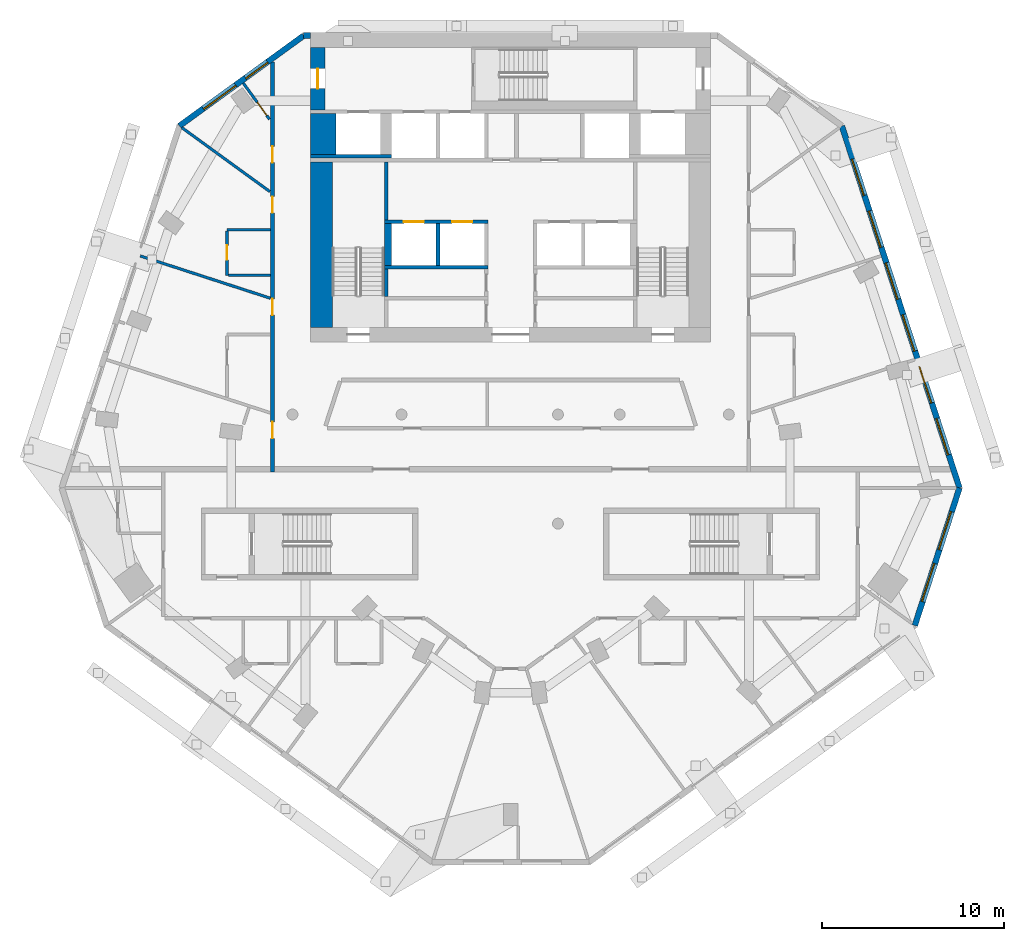
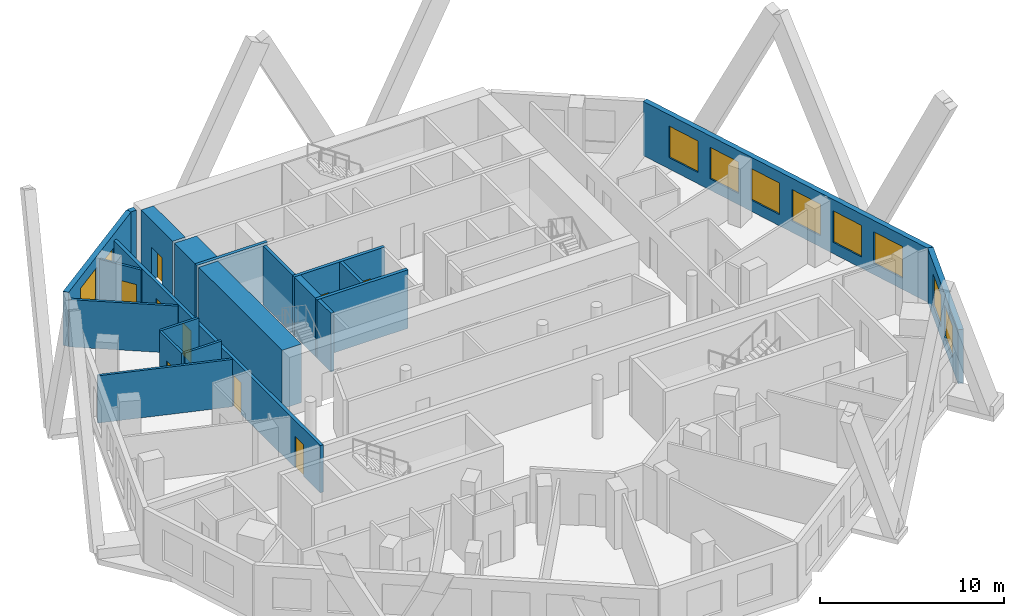
# One storey, part 6 of 10: 21 walls, 10 windows, 9 doors, 19 openings.
"""IFC4 building model written with IfcOpenShell, lengths in metres."""

from ifc_helpers import new_model, si_unit, direction, frame, frame_2d, origin, place, context, subcontext, project, spatial, rectangle, extrude, material, layer, layer_set, type_object, element, fill, save


model = new_model("IFC4")

# Units and contexts
model_context = context("Model", 3, precision=1e-05, world=origin(), true_north=direction((0.0, 1.0)))
body_context = subcontext(model_context, "Body", "Model", "MODEL_VIEW")
ifc_project = project(units=[si_unit("LENGTHUNIT", "METRE"), si_unit("AREAUNIT", "SQUARE_METRE"), si_unit("VOLUMEUNIT", "CUBIC_METRE"), si_unit("PLANEANGLEUNIT", "RADIAN"), si_unit("MASSUNIT", "GRAM", prefix="KILO")], contexts=[model_context])

# Site, building, storey
site_placement = place(None, origin())
site = spatial("IfcSite", under=ifc_project, at=site_placement, CompositionType="ELEMENT")
building_placement = place(site_placement, origin())
building = spatial("IfcBuilding", under=site, at=building_placement, Name="White Candle Pilgrim Tower", CompositionType="ELEMENT")
storey_placement = place(building_placement, frame((0.0, 0.0, 208.199951171875)))
storey = spatial("IfcBuildingStorey", under=building, at=storey_placement, Name="L48", CompositionType="ELEMENT", Elevation=208.199951171875)

# Walls
ifc_material_1 = material(Name="Concrete C50/60", Category="concrete")
ifc_layer_1 = layer(ifc_material_1, 1.39990234375)
ifc_layer_set_1 = layer_set([ifc_layer_1], Name="Core wall 1400 mm Concrete C50/60")
wall_type_1 = type_object("IfcWallType", Name="Core wall 1400 mm Concrete C50/60", PredefinedType="SHEAR", material=ifc_layer_set_1)
wall_1_placement = place(storey_placement, frame((59.699951171875, 81.300048828125, 0.0), z_axis=(0.0, 0.0, 1.0), x_axis=(0.0, 1.0, 0.0)))
element("IfcWall", 1, at=wall_1_placement, inside=storey, type_object=wall_type_1, Name="WL-L48-C43", PredefinedType="SHEAR", context=body_context, shape_type="SweptSolid", body=[
    extrude(rectangle(XDim=2.25, YDim=1.39990234375, at=frame_2d((1.125, 0.0))), origin(), (0.0, 0.0, 1.0), 3.900146484375),
])
ifc_layer_2 = layer(ifc_material_1, 0.199951171875)
ifc_layer_set_2 = layer_set([ifc_layer_2], Name="Core wall 200 mm Concrete C50/60")
wall_type_2 = type_object("IfcWallType", Name="Core wall 200 mm Concrete C50/60", PredefinedType="SHEAR", material=ifc_layer_set_2)
wall_2_placement = place(storey_placement, frame((59.0, 81.199951171875, 0.0), z_axis=(0.0, 0.0, 1.0), x_axis=(1.0, 0.0, 0.0)))
element("IfcWall", 2, at=wall_2_placement, inside=storey, type_object=wall_type_2, Name="WL-L48-C37", PredefinedType="SHEAR", context=body_context, shape_type="SweptSolid", body=[
    extrude(rectangle(XDim=4.449951171875, YDim=0.199951171875, at=frame_2d((2.22509765625, 0.0))), origin(), (0.0, 0.0, 1.0), 3.900146484375),
])

# Wall, opening, door
ifc_layer_3 = layer(ifc_material_1, 0.800048828125)
ifc_layer_set_3 = layer_set([ifc_layer_3], Name="Core wall 800 mm Concrete C50/60")
wall_type_3 = type_object("IfcWallType", Name="Core wall 800 mm Concrete C50/60", PredefinedType="SHEAR", material=ifc_layer_set_3)
wall_3_placement = place(storey_placement, frame((59.39990234375, 83.75, 0.0), z_axis=(0.0, 0.0, 1.0), x_axis=(0.0, 1.0, 0.0)))
wall_3 = element("IfcWall", 3, at=wall_3_placement, inside=storey, type_object=wall_type_3, Name="WL-L48-C48", PredefinedType="SHEAR", context=body_context, shape_type="SweptSolid", body=[
    extrude(rectangle(XDim=3.449951171875, YDim=0.800048828125, at=frame_2d((1.72509765625, 0.0))), origin(), (0.0, 0.0, 1.0), 3.900146484375),
])
opening_1_placement = place(wall_3_placement, frame((1.175048828125, 0.0, 0.0)))
opening_1 = element("IfcOpeningElement", 4, at=opening_1_placement, cuts=wall_3, Name="Opening T15-009", PredefinedType="OPENING", context=body_context, shape_type="SweptSolid", body=[
    extrude(rectangle(XDim=1.10009765625, YDim=2.10009765625, at=frame_2d((0.550048828125, 1.050048828125))), frame((0.0, 0.409912109375, 0.0), z_axis=(0.0, -1.0, 0.0), x_axis=(1.0, 0.0, 0.0)), (0.0, 0.0, 1.0), 0.820068359375),
])
ifc_material_2 = material(Name="Steel door leaf", Category="steel")
door_type_1 = type_object("IfcDoorType", Name="Fire door 1100 x 2100 EI 60", OperationType="NOTDEFINED", PredefinedType="DOOR", material=ifc_material_2)
door_1_placement = place(opening_1_placement, origin())
door_1 = element("IfcDoor", 5, at=door_1_placement, inside=storey, type_object=door_type_1, Name="Door T15-009", OperationType="SINGLE_SWING_LEFT", OverallHeight=2.10009765625, OverallWidth=1.10009765625, PredefinedType="DOOR", context=body_context, shape_type="SweptSolid", body=[
    extrude(rectangle(XDim=1.10009765625, YDim=2.10009765625, at=frame_2d((0.550048828125, 1.050048828125))), frame((0.0, 0.02490234375, 0.0), z_axis=(0.0, -1.0, 0.0), x_axis=(1.0, 0.0, 0.0)), (0.0, 0.0, 1.0), 0.050048828125),
])
fill(opening_1, door_1)

# Wall, openings, doors
ifc_material_3 = material(Name="Gypsum board on steel studs", Category="steel")
ifc_layer_4 = layer(ifc_material_3, 0.199951171875)
ifc_layer_set_4 = layer_set([ifc_layer_4], Name="Corridor wall 200 mm EI 45")
wall_type_4 = type_object("IfcWallType", Name="Corridor wall 200 mm EI 45", PredefinedType="PARTITIONING", material=ifc_layer_set_4)
wall_4_placement = place(storey_placement, frame((56.89990234375, 63.85009765625, 0.0), z_axis=(0.0, 0.0, 1.0), x_axis=(0.0, 1.0, 0.0)))
wall_4 = element("IfcWall", 6, at=wall_4_placement, inside=storey, type_object=wall_type_4, Name="WL-L48-P002", PredefinedType="PARTITIONING", context=body_context, shape_type="SweptSolid", body=[
    extrude(rectangle(XDim=22.546142578125, YDim=0.199951171875, at=frame_2d((11.27294921875, 0.0))), origin(), (0.0, 0.0, 1.0), 3.150146484375),
])
opening_2_placement = place(wall_4_placement, frame((1.844970703125, 0.0, 0.0)))
opening_2 = element("IfcOpeningElement", 7, at=opening_2_placement, cuts=wall_4, Name="Opening T15-123", PredefinedType="OPENING", context=body_context, shape_type="SweptSolid", body=[
    extrude(rectangle(XDim=0.89990234375, YDim=2.10009765625, at=frame_2d((0.449951171875, 1.050048828125))), frame((0.0, 0.10986328125, 0.0), z_axis=(0.0, -1.0, 0.0), x_axis=(1.0, 0.0, 0.0)), (0.0, 0.0, 1.0), 0.219970703125),
])
opening_3_placement = place(wall_4_placement, frame((8.61181640625, 0.0, 0.0)))
opening_3 = element("IfcOpeningElement", 8, at=opening_3_placement, cuts=wall_4, Name="Opening T15-124", PredefinedType="OPENING", context=body_context, shape_type="SweptSolid", body=[
    extrude(rectangle(XDim=0.89990234375, YDim=2.10009765625, at=frame_2d((0.449951171875, 1.050048828125))), frame((0.0, 0.10986328125, 0.0), z_axis=(0.0, -1.0, 0.0), x_axis=(1.0, 0.0, 0.0)), (0.0, 0.0, 1.0), 0.219970703125),
])
opening_4_placement = place(wall_4_placement, frame((14.235595703125, 0.0, 0.0)))
opening_4 = element("IfcOpeningElement", 9, at=opening_4_placement, cuts=wall_4, Name="Opening T15-125", PredefinedType="OPENING", context=body_context, shape_type="SweptSolid", body=[
    extrude(rectangle(XDim=0.89990234375, YDim=2.10009765625, at=frame_2d((0.449951171875, 1.050048828125))), frame((0.0, 0.10986328125, 0.0), z_axis=(0.0, -1.0, 0.0), x_axis=(1.0, 0.0, 0.0)), (0.0, 0.0, 1.0), 0.219970703125),
])
opening_5_placement = place(wall_4_placement, frame((17.002197265625, 0.0, 0.0)))
opening_5 = element("IfcOpeningElement", 10, at=opening_5_placement, cuts=wall_4, Name="Opening T15-126", PredefinedType="OPENING", context=body_context, shape_type="SweptSolid", body=[
    extrude(rectangle(XDim=0.89990234375, YDim=2.10009765625, at=frame_2d((0.449951171875, 1.050048828125))), frame((0.0, 0.10986328125, 0.0), z_axis=(0.0, -1.0, 0.0), x_axis=(1.0, 0.0, 0.0)), (0.0, 0.0, 1.0), 0.219970703125),
])
door_type_2 = type_object("IfcDoorType", Name="Fire door 900 x 2100 EI 30", OperationType="NOTDEFINED", PredefinedType="DOOR", material=ifc_material_2)
door_2_placement = place(opening_2_placement, origin())
door_2 = element("IfcDoor", 11, at=door_2_placement, inside=storey, type_object=door_type_2, Name="Door T15-123", OperationType="SINGLE_SWING_LEFT", OverallHeight=2.10009765625, OverallWidth=0.89990234375, PredefinedType="DOOR", context=body_context, shape_type="SweptSolid", body=[
    extrude(rectangle(XDim=0.89990234375, YDim=2.10009765625, at=frame_2d((0.449951171875, 1.050048828125))), frame((0.0, 0.02490234375, 0.0), z_axis=(0.0, -1.0, 0.0), x_axis=(1.0, 0.0, 0.0)), (0.0, 0.0, 1.0), 0.050048828125),
])
fill(opening_2, door_2)
door_3_placement = place(opening_3_placement, origin())
door_3 = element("IfcDoor", 12, at=door_3_placement, inside=storey, type_object=door_type_2, Name="Door T15-124", OperationType="SINGLE_SWING_RIGHT", OverallHeight=2.10009765625, OverallWidth=0.89990234375, PredefinedType="DOOR", context=body_context, shape_type="SweptSolid", body=[
    extrude(rectangle(XDim=0.89990234375, YDim=2.10009765625, at=frame_2d((0.449951171875, 1.050048828125))), frame((0.0, 0.02490234375, 0.0), z_axis=(0.0, -1.0, 0.0), x_axis=(1.0, 0.0, 0.0)), (0.0, 0.0, 1.0), 0.050048828125),
])
fill(opening_3, door_3)
door_4_placement = place(opening_4_placement, origin())
door_4 = element("IfcDoor", 13, at=door_4_placement, inside=storey, type_object=door_type_2, Name="Door T15-125", OperationType="SINGLE_SWING_LEFT", OverallHeight=2.10009765625, OverallWidth=0.89990234375, PredefinedType="DOOR", context=body_context, shape_type="SweptSolid", body=[
    extrude(rectangle(XDim=0.89990234375, YDim=2.10009765625, at=frame_2d((0.449951171875, 1.050048828125))), frame((0.0, 0.02490234375, 0.0), z_axis=(0.0, -1.0, 0.0), x_axis=(1.0, 0.0, 0.0)), (0.0, 0.0, 1.0), 0.050048828125),
])
fill(opening_4, door_4)
door_5_placement = place(opening_5_placement, origin())
door_5 = element("IfcDoor", 14, at=door_5_placement, inside=storey, type_object=door_type_2, Name="Door T15-126", OperationType="SINGLE_SWING_RIGHT", OverallHeight=2.10009765625, OverallWidth=0.89990234375, PredefinedType="DOOR", context=body_context, shape_type="SweptSolid", body=[
    extrude(rectangle(XDim=0.89990234375, YDim=2.10009765625, at=frame_2d((0.449951171875, 1.050048828125))), frame((0.0, 0.02490234375, 0.0), z_axis=(0.0, -1.0, 0.0), x_axis=(1.0, 0.0, 0.0)), (0.0, 0.0, 1.0), 0.050048828125),
])
fill(opening_5, door_5)

# Wall, openings, windows
ifc_material_4 = material(Name="Precast concrete C40/50", Category="concrete")
ifc_layer_5 = layer(ifc_material_4, 0.320068359375)
ifc_layer_set_5 = layer_set([ifc_layer_5], Name="Facade wall EW1 precast concrete C40/50 pier wall with timber-lined reveals")
wall_type_5 = type_object("IfcWallType", Name="Facade wall EW1 precast concrete C40/50 pier wall with timber-lined reveals", PredefinedType="SOLIDWALL", material=ifc_layer_set_5)
wall_5_placement = place(storey_placement, frame((92.22900390625, 55.396240234375, 0.0), z_axis=(0.0, 0.0, 1.0), x_axis=(0.309020158762, 0.951055488118, 0.0)))
wall_5 = element("IfcWall", 15, at=wall_5_placement, inside=storey, type_object=wall_type_5, Name="Facade wall L48 E chamfer", PredefinedType="SOLIDWALL", context=body_context, shape_type="SweptSolid", body=[
    extrude(rectangle(XDim=7.95654296875, YDim=0.320068359375, at=frame_2d((3.978271484375, 0.0))), origin(), (0.0, 0.0, 1.0), 3.60009765625),
])
opening_6_placement = place(wall_5_placement, frame((1.378173828125, 0.0, 0.75)))
opening_6 = element("IfcOpeningElement", 16, at=opening_6_placement, cuts=wall_5, Name="Opening W4", PredefinedType="OPENING", context=body_context, shape_type="SweptSolid", body=[
    extrude(rectangle(XDim=2.199951171875, YDim=2.10009765625, at=frame_2d((1.10009765625, 1.050048828125))), frame((0.0, 0.169921875, 0.0), z_axis=(0.0, -1.0, 0.0), x_axis=(1.0, 0.0, 0.0)), (0.0, 0.0, 1.0), 0.340087890625),
])
opening_7_placement = place(wall_5_placement, frame((4.378173828125, 0.0, 0.75)))
opening_7 = element("IfcOpeningElement", 17, at=opening_7_placement, cuts=wall_5, Name="Opening W4", PredefinedType="OPENING", context=body_context, shape_type="SweptSolid", body=[
    extrude(rectangle(XDim=2.199951171875, YDim=2.10009765625, at=frame_2d((1.10009765625, 1.050048828125))), frame((0.0, 0.169921875, 0.0), z_axis=(0.0, -1.0, 0.0), x_axis=(1.0, 0.0, 0.0)), (0.0, 0.0, 1.0), 0.340087890625),
])
ifc_material_5 = material(Name="Timber frame with triple glazing", Category="wood")
window_type_1 = type_object("IfcWindowType", Name="Window W4 2200x2100 timber frame triple glazing", PartitioningType="SINGLE_PANEL", PredefinedType="WINDOW", material=ifc_material_5)
window_1_placement = place(opening_6_placement, origin())
window_1 = element("IfcWindow", 18, at=window_1_placement, inside=storey, type_object=window_type_1, Name="Window W4 L48 E chamfer 1", OverallHeight=2.10009765625, OverallWidth=2.199951171875, PartitioningType="SINGLE_PANEL", PredefinedType="WINDOW", context=body_context, shape_type="SweptSolid", body=[
    extrude(rectangle(XDim=2.199951171875, YDim=2.10009765625, at=frame_2d((1.10009765625, 1.050048828125))), frame((0.0, 0.070068359375, 0.0), z_axis=(0.0, -1.0, 0.0), x_axis=(1.0, 0.0, 0.0)), (0.0, 0.0, 1.0), 0.06005859375),
])
fill(opening_6, window_1)
window_2_placement = place(opening_7_placement, origin())
window_2 = element("IfcWindow", 19, at=window_2_placement, inside=storey, type_object=window_type_1, Name="Window W4 L48 E chamfer 2", OverallHeight=2.10009765625, OverallWidth=2.199951171875, PartitioningType="SINGLE_PANEL", PredefinedType="WINDOW", context=body_context, shape_type="SweptSolid", body=[
    extrude(rectangle(XDim=2.199951171875, YDim=2.10009765625, at=frame_2d((1.10009765625, 1.050048828125))), frame((0.0, 0.070068359375, 0.0), z_axis=(0.0, -1.0, 0.0), x_axis=(1.0, 0.0, 0.0)), (0.0, 0.0, 1.0), 0.06005859375),
])
fill(opening_7, window_2)

wall_6_placement = place(storey_placement, frame((94.687744140625, 62.96337890625, 0.0), z_axis=(0.0, 0.0, 1.0), x_axis=(-0.309019363855, 0.951055746401, 0.0)))
wall_6 = element("IfcWall", 20, at=wall_6_placement, inside=storey, type_object=wall_type_5, Name="Facade wall L48 ENE", PredefinedType="SOLIDWALL", context=body_context, shape_type="SweptSolid", body=[
    extrude(rectangle(XDim=20.93701171875, YDim=0.320068359375, at=frame_2d((10.468505859375, 0.0))), origin(), (0.0, 0.0, 1.0), 3.60009765625),
])
opening_8_placement = place(wall_6_placement, frame((1.918701171875, 0.0, 0.75)))
opening_8 = element("IfcOpeningElement", 21, at=opening_8_placement, cuts=wall_6, Name="Opening W3", PredefinedType="OPENING", context=body_context, shape_type="SweptSolid", body=[
    extrude(rectangle(XDim=2.10009765625, YDim=2.10009765625, at=frame_2d((1.050048828125, 1.050048828125))), frame((0.0, 0.169921875, 0.0), z_axis=(0.0, -1.0, 0.0), x_axis=(1.0, 0.0, 0.0)), (0.0, 0.0, 1.0), 0.340087890625),
])
opening_9_placement = place(wall_6_placement, frame((4.918701171875, 0.0, 0.75)))
opening_9 = element("IfcOpeningElement", 22, at=opening_9_placement, cuts=wall_6, Name="Opening W3", PredefinedType="OPENING", context=body_context, shape_type="SweptSolid", body=[
    extrude(rectangle(XDim=2.10009765625, YDim=2.10009765625, at=frame_2d((1.050048828125, 1.050048828125))), frame((0.0, 0.169921875, 0.0), z_axis=(0.0, -1.0, 0.0), x_axis=(1.0, 0.0, 0.0)), (0.0, 0.0, 1.0), 0.340087890625),
])
opening_10_placement = place(wall_6_placement, frame((7.918701171875, 0.0, 0.75)))
opening_10 = element("IfcOpeningElement", 23, at=opening_10_placement, cuts=wall_6, Name="Opening W3", PredefinedType="OPENING", context=body_context, shape_type="SweptSolid", body=[
    extrude(rectangle(XDim=2.10009765625, YDim=2.10009765625, at=frame_2d((1.050048828125, 1.050048828125))), frame((0.0, 0.169921875, 0.0), z_axis=(0.0, -1.0, 0.0), x_axis=(1.0, 0.0, 0.0)), (0.0, 0.0, 1.0), 0.340087890625),
])
opening_11_placement = place(wall_6_placement, frame((10.918701171875, 0.0, 0.75)))
opening_11 = element("IfcOpeningElement", 24, at=opening_11_placement, cuts=wall_6, Name="Opening W3", PredefinedType="OPENING", context=body_context, shape_type="SweptSolid", body=[
    extrude(rectangle(XDim=2.10009765625, YDim=2.10009765625, at=frame_2d((1.050048828125, 1.050048828125))), frame((0.0, 0.169921875, 0.0), z_axis=(0.0, -1.0, 0.0), x_axis=(1.0, 0.0, 0.0)), (0.0, 0.0, 1.0), 0.340087890625),
])
opening_12_placement = place(wall_6_placement, frame((13.918701171875, 0.0, 0.75)))
opening_12 = element("IfcOpeningElement", 25, at=opening_12_placement, cuts=wall_6, Name="Opening W3", PredefinedType="OPENING", context=body_context, shape_type="SweptSolid", body=[
    extrude(rectangle(XDim=2.10009765625, YDim=2.10009765625, at=frame_2d((1.050048828125, 1.050048828125))), frame((0.0, 0.169921875, 0.0), z_axis=(0.0, -1.0, 0.0), x_axis=(1.0, 0.0, 0.0)), (0.0, 0.0, 1.0), 0.340087890625),
])
opening_13_placement = place(wall_6_placement, frame((16.918701171875, 0.0, 0.75)))
opening_13 = element("IfcOpeningElement", 26, at=opening_13_placement, cuts=wall_6, Name="Opening W3", PredefinedType="OPENING", context=body_context, shape_type="SweptSolid", body=[
    extrude(rectangle(XDim=2.10009765625, YDim=2.10009765625, at=frame_2d((1.050048828125, 1.050048828125))), frame((0.0, 0.169921875, 0.0), z_axis=(0.0, -1.0, 0.0), x_axis=(1.0, 0.0, 0.0)), (0.0, 0.0, 1.0), 0.340087890625),
])
window_type_2 = type_object("IfcWindowType", Name="Window W3 2100x2100 timber frame triple glazing", PartitioningType="SINGLE_PANEL", PredefinedType="WINDOW", material=ifc_material_5)
window_3_placement = place(opening_8_placement, origin())
window_3 = element("IfcWindow", 27, at=window_3_placement, inside=storey, type_object=window_type_2, Name="Window W3 L48 ENE 1", OverallHeight=2.10009765625, OverallWidth=2.10009765625, PartitioningType="SINGLE_PANEL", PredefinedType="WINDOW", context=body_context, shape_type="SweptSolid", body=[
    extrude(rectangle(XDim=2.10009765625, YDim=2.10009765625, at=frame_2d((1.050048828125, 1.050048828125))), frame((0.0, 0.070068359375, 0.0), z_axis=(0.0, -1.0, 0.0), x_axis=(1.0, 0.0, 0.0)), (0.0, 0.0, 1.0), 0.06005859375),
])
fill(opening_8, window_3)
window_4_placement = place(opening_9_placement, origin())
window_4 = element("IfcWindow", 28, at=window_4_placement, inside=storey, type_object=window_type_2, Name="Window W3 L48 ENE 2", OverallHeight=2.10009765625, OverallWidth=2.10009765625, PartitioningType="SINGLE_PANEL", PredefinedType="WINDOW", context=body_context, shape_type="SweptSolid", body=[
    extrude(rectangle(XDim=2.10009765625, YDim=2.10009765625, at=frame_2d((1.050048828125, 1.050048828125))), frame((0.0, 0.070068359375, 0.0), z_axis=(0.0, -1.0, 0.0), x_axis=(1.0, 0.0, 0.0)), (0.0, 0.0, 1.0), 0.06005859375),
])
fill(opening_9, window_4)
window_5_placement = place(opening_10_placement, origin())
window_5 = element("IfcWindow", 29, at=window_5_placement, inside=storey, type_object=window_type_2, Name="Window W3 L48 ENE 3", OverallHeight=2.10009765625, OverallWidth=2.10009765625, PartitioningType="SINGLE_PANEL", PredefinedType="WINDOW", context=body_context, shape_type="SweptSolid", body=[
    extrude(rectangle(XDim=2.10009765625, YDim=2.10009765625, at=frame_2d((1.050048828125, 1.050048828125))), frame((0.0, 0.070068359375, 0.0), z_axis=(0.0, -1.0, 0.0), x_axis=(1.0, 0.0, 0.0)), (0.0, 0.0, 1.0), 0.06005859375),
])
fill(opening_10, window_5)
window_6_placement = place(opening_11_placement, origin())
window_6 = element("IfcWindow", 30, at=window_6_placement, inside=storey, type_object=window_type_2, Name="Window W3 L48 ENE 4", OverallHeight=2.10009765625, OverallWidth=2.10009765625, PartitioningType="SINGLE_PANEL", PredefinedType="WINDOW", context=body_context, shape_type="SweptSolid", body=[
    extrude(rectangle(XDim=2.10009765625, YDim=2.10009765625, at=frame_2d((1.050048828125, 1.050048828125))), frame((0.0, 0.070068359375, 0.0), z_axis=(0.0, -1.0, 0.0), x_axis=(1.0, 0.0, 0.0)), (0.0, 0.0, 1.0), 0.06005859375),
])
fill(opening_11, window_6)
window_7_placement = place(opening_12_placement, origin())
window_7 = element("IfcWindow", 31, at=window_7_placement, inside=storey, type_object=window_type_2, Name="Window W3 L48 ENE 5", OverallHeight=2.10009765625, OverallWidth=2.10009765625, PartitioningType="SINGLE_PANEL", PredefinedType="WINDOW", context=body_context, shape_type="SweptSolid", body=[
    extrude(rectangle(XDim=2.10009765625, YDim=2.10009765625, at=frame_2d((1.050048828125, 1.050048828125))), frame((0.0, 0.070068359375, 0.0), z_axis=(0.0, -1.0, 0.0), x_axis=(1.0, 0.0, 0.0)), (0.0, 0.0, 1.0), 0.06005859375),
])
fill(opening_12, window_7)
window_8_placement = place(opening_13_placement, origin())
window_8 = element("IfcWindow", 32, at=window_8_placement, inside=storey, type_object=window_type_2, Name="Window W3 L48 ENE 6", OverallHeight=2.10009765625, OverallWidth=2.10009765625, PartitioningType="SINGLE_PANEL", PredefinedType="WINDOW", context=body_context, shape_type="SweptSolid", body=[
    extrude(rectangle(XDim=2.10009765625, YDim=2.10009765625, at=frame_2d((1.050048828125, 1.050048828125))), frame((0.0, 0.070068359375, 0.0), z_axis=(0.0, -1.0, 0.0), x_axis=(1.0, 0.0, 0.0)), (0.0, 0.0, 1.0), 0.06005859375),
])
fill(opening_13, window_8)

# Wall
wall_7_placement = place(storey_placement, frame((59.0, 87.840087890625, 0.0), z_axis=(0.0, 0.0, 1.0), x_axis=(-1.0, 0.0, 0.0)))
element("IfcWall", 33, at=wall_7_placement, inside=storey, type_object=wall_type_5, Name="Facade wall L48 N", PredefinedType="SOLIDWALL", context=body_context, shape_type="SweptSolid", body=[
    extrude(rectangle(XDim=0.385009765625, YDim=0.320068359375, at=frame_2d((0.1923828125, 0.0))), origin(), (0.0, 0.0, 1.0), 3.60009765625),
])

# Wall, openings, windows
wall_8_placement = place(storey_placement, frame((58.614990234375, 87.840087890625, 0.0), z_axis=(0.0, 0.0, 1.0), x_axis=(-0.809013499188, -0.587790062975, 0.0)))
wall_8 = element("IfcWall", 34, at=wall_8_placement, inside=storey, type_object=wall_type_5, Name="Facade wall L48 NW chamfer", PredefinedType="SOLIDWALL", context=body_context, shape_type="SweptSolid", body=[
    extrude(rectangle(XDim=8.44580078125, YDim=0.320068359375, at=frame_2d((4.222900390625, 0.0))), origin(), (0.0, 0.0, 1.0), 3.60009765625),
])
opening_14_placement = place(wall_8_placement, frame((2.459716796875, 0.0, 0.89990234375)))
opening_14 = element("IfcOpeningElement", 35, at=opening_14_placement, cuts=wall_8, Name="Opening W1", PredefinedType="OPENING", context=body_context, shape_type="SweptSolid", body=[
    extrude(rectangle(XDim=1.5, YDim=1.800048828125, at=frame_2d((0.75, 0.89990234375))), frame((0.0, 0.169921875, 0.0), z_axis=(0.0, -1.0, 0.0), x_axis=(1.0, 0.0, 0.0)), (0.0, 0.0, 1.0), 0.340087890625),
])
opening_15_placement = place(wall_8_placement, frame((4.622802734375, 0.0, 0.75)))
opening_15 = element("IfcOpeningElement", 36, at=opening_15_placement, cuts=wall_8, Name="Opening W4", PredefinedType="OPENING", context=body_context, shape_type="SweptSolid", body=[
    extrude(rectangle(XDim=2.199951171875, YDim=2.10009765625, at=frame_2d((1.10009765625, 1.050048828125))), frame((0.0, 0.169921875, 0.0), z_axis=(0.0, -1.0, 0.0), x_axis=(1.0, 0.0, 0.0)), (0.0, 0.0, 1.0), 0.340087890625),
])
window_type_3 = type_object("IfcWindowType", Name="Window W1 1500x1800 timber frame triple glazing", PartitioningType="SINGLE_PANEL", PredefinedType="WINDOW", material=ifc_material_5)
window_9_placement = place(opening_14_placement, origin())
window_9 = element("IfcWindow", 37, at=window_9_placement, inside=storey, type_object=window_type_3, Name="Window W1 L48 NW chamfer 1", OverallHeight=1.800048828125, OverallWidth=1.5, PartitioningType="SINGLE_PANEL", PredefinedType="WINDOW", context=body_context, shape_type="SweptSolid", body=[
    extrude(rectangle(XDim=1.5, YDim=1.800048828125, at=frame_2d((0.75, 0.89990234375))), frame((0.0, 0.070068359375, 0.0), z_axis=(0.0, -1.0, 0.0), x_axis=(1.0, 0.0, 0.0)), (0.0, 0.0, 1.0), 0.06005859375),
])
fill(opening_14, window_9)
window_10_placement = place(opening_15_placement, origin())
window_10 = element("IfcWindow", 38, at=window_10_placement, inside=storey, type_object=window_type_1, Name="Window W4 L48 NW chamfer 2", OverallHeight=2.10009765625, OverallWidth=2.199951171875, PartitioningType="SINGLE_PANEL", PredefinedType="WINDOW", context=body_context, shape_type="SweptSolid", body=[
    extrude(rectangle(XDim=2.199951171875, YDim=2.10009765625, at=frame_2d((1.10009765625, 1.050048828125))), frame((0.0, 0.070068359375, 0.0), z_axis=(0.0, -1.0, 0.0), x_axis=(1.0, 0.0, 0.0)), (0.0, 0.0, 1.0), 0.06005859375),
])
fill(opening_15, window_10)

# Wall
ifc_layer_6 = layer(ifc_material_3, 0.14990234375)
ifc_layer_set_6 = layer_set([ifc_layer_6], Name="Partition 150 mm EI 60")
wall_type_6 = type_object("IfcWallType", Name="Partition 150 mm EI 60", PredefinedType="PARTITIONING", material=ifc_layer_set_6)
wall_9_placement = place(storey_placement, frame((51.91845703125, 82.77685546875, 0.0), z_axis=(0.0, 0.0, 1.0), x_axis=(0.809011434577, -0.587792904622, 0.0)))
element("IfcWall", 39, at=wall_9_placement, inside=storey, type_object=wall_type_6, Name="WL-L48-P015", PredefinedType="PARTITIONING", context=body_context, shape_type="SweptSolid", body=[
    extrude(rectangle(XDim=5.9794921875, YDim=0.14990234375, at=frame_2d((2.98974609375, 0.0))), origin(), (0.0, 0.0, 1.0), 3.150146484375),
])

# Wall, opening, door
wall_10_placement = place(storey_placement, frame((55.292724609375, 85.228515625, 0.0), z_axis=(0.0, 0.0, 1.0), x_axis=(0.587741046581, -0.809049109859, 0.0)))
wall_10 = element("IfcWall", 40, at=wall_10_placement, inside=storey, type_object=wall_type_6, Name="WL-L48-P023", PredefinedType="PARTITIONING", context=body_context, shape_type="SweptSolid", body=[
    extrude(rectangle(XDim=2.461181640625, YDim=0.14990234375, at=frame_2d((1.23046875, 0.0))), origin(), (0.0, 0.0, 1.0), 3.150146484375),
])
opening_16_placement = place(wall_10_placement, frame((1.300048828125, 0.0, 0.0)))
opening_16 = element("IfcOpeningElement", 41, at=opening_16_placement, cuts=wall_10, Name="Opening T15-127", PredefinedType="OPENING", context=body_context, shape_type="SweptSolid", body=[
    extrude(rectangle(XDim=0.89990234375, YDim=2.10009765625, at=frame_2d((0.449951171875, 1.050048828125))), frame((0.0, 0.0849609375, 0.0), z_axis=(0.0, -1.0, 0.0), x_axis=(1.0, 0.0, 0.0)), (0.0, 0.0, 1.0), 0.169921875),
])
door_6_placement = place(opening_16_placement, origin())
door_6 = element("IfcDoor", 42, at=door_6_placement, inside=storey, type_object=door_type_2, Name="Door T15-127", OperationType="SINGLE_SWING_LEFT", OverallHeight=2.10009765625, OverallWidth=0.89990234375, PredefinedType="DOOR", context=body_context, shape_type="SweptSolid", body=[
    extrude(rectangle(XDim=0.89990234375, YDim=2.10009765625, at=frame_2d((0.449951171875, 1.050048828125))), frame((0.0, 0.02490234375, 0.0), z_axis=(0.0, -1.0, 0.0), x_axis=(1.0, 0.0, 0.0)), (0.0, 0.0, 1.0), 0.050048828125),
])
fill(opening_16, door_6)

# Walls
wall_11_placement = place(storey_placement, frame((49.62646484375, 75.723388671875, 0.0), z_axis=(0.0, 0.0, 1.0), x_axis=(0.951049340024, -0.309039079794, 0.0)))
element("IfcWall", 43, at=wall_11_placement, inside=storey, type_object=wall_type_6, Name="WL-L48-P024", PredefinedType="PARTITIONING", context=body_context, shape_type="SweptSolid", body=[
    extrude(rectangle(XDim=7.518310546875, YDim=0.14990234375, at=frame_2d((3.75927734375, 0.0))), origin(), (0.0, 0.0, 1.0), 3.150146484375),
])
wall_12_placement = place(storey_placement, frame((56.800048828125, 77.159912109375, 0.0), z_axis=(0.0, 0.0, 1.0), x_axis=(-1.0, 0.0, 0.0)))
element("IfcWall", 44, at=wall_12_placement, inside=storey, type_object=wall_type_6, Name="WL-L48-P026", PredefinedType="PARTITIONING", context=body_context, shape_type="SweptSolid", body=[
    extrude(rectangle(XDim=2.400146484375, YDim=0.14990234375, at=frame_2d((1.2001953125, 0.0))), origin(), (0.0, 0.0, 1.0), 3.60009765625),
])

# Wall, opening, door
wall_13_placement = place(storey_placement, frame((54.39990234375, 74.659912109375, 0.0), z_axis=(0.0, 0.0, 1.0), x_axis=(0.0, 1.0, 0.0)))
wall_13 = element("IfcWall", 45, at=wall_13_placement, inside=storey, type_object=wall_type_6, Name="WL-L48-P027", PredefinedType="PARTITIONING", context=body_context, shape_type="SweptSolid", body=[
    extrude(rectangle(XDim=2.425048828125, YDim=0.14990234375, at=frame_2d((1.21240234375, 0.0))), origin(), (0.0, 0.0, 1.0), 3.60009765625),
])
opening_17_placement = place(wall_13_placement, frame((0.85009765625, 0.0, 0.0)))
opening_17 = element("IfcOpeningElement", 46, at=opening_17_placement, cuts=wall_13, Name="Opening T15-101", PredefinedType="OPENING", context=body_context, shape_type="SweptSolid", body=[
    extrude(rectangle(XDim=0.800048828125, YDim=2.10009765625, at=frame_2d((0.39990234375, 1.050048828125))), frame((0.0, 0.0849609375, 0.0), z_axis=(0.0, -1.0, 0.0), x_axis=(1.0, 0.0, 0.0)), (0.0, 0.0, 1.0), 0.169921875),
])
door_type_3 = type_object("IfcDoorType", Name="Fire door 800 x 2100 EI 30", OperationType="NOTDEFINED", PredefinedType="DOOR", material=ifc_material_2)
door_7_placement = place(opening_17_placement, origin())
door_7 = element("IfcDoor", 47, at=door_7_placement, inside=storey, type_object=door_type_3, Name="Door T15-101", OperationType="SINGLE_SWING_LEFT", OverallHeight=2.10009765625, OverallWidth=0.800048828125, PredefinedType="DOOR", context=body_context, shape_type="SweptSolid", body=[
    extrude(rectangle(XDim=0.800048828125, YDim=2.10009765625, at=frame_2d((0.39990234375, 1.050048828125))), frame((0.0, 0.02490234375, 0.0), z_axis=(0.0, -1.0, 0.0), x_axis=(1.0, 0.0, 0.0)), (0.0, 0.0, 1.0), 0.050048828125),
])
fill(opening_17, door_7)

# Walls
wall_14_placement = place(storey_placement, frame((56.800048828125, 74.659912109375, 0.0), z_axis=(0.0, 0.0, 1.0), x_axis=(-1.0, 0.0, 0.0)))
element("IfcWall", 48, at=wall_14_placement, inside=storey, type_object=wall_type_6, Name="WL-L48-P028", PredefinedType="PARTITIONING", context=body_context, shape_type="SweptSolid", body=[
    extrude(rectangle(XDim=2.324951171875, YDim=0.14990234375, at=frame_2d((1.16259765625, 0.0))), origin(), (0.0, 0.0, 1.0), 3.60009765625),
])
ifc_layer_7 = layer(ifc_material_1, 0.199951171875)
ifc_layer_set_7 = layer_set([ifc_layer_7], Name="Shaft wall 200 mm Concrete C50/60")
wall_type_7 = type_object("IfcWallType", Name="Shaft wall 200 mm Concrete C50/60", PredefinedType="SHEAR", material=ifc_layer_set_7)
wall_15_placement = place(storey_placement, frame((66.0, 75.199951171875, 0.0), z_axis=(0.0, 0.0, 1.0), x_axis=(0.0, 1.0, 0.0)))
element("IfcWall", 49, at=wall_15_placement, inside=storey, type_object=wall_type_7, Name="WL-L48-C27", PredefinedType="SHEAR", context=body_context, shape_type="SweptSolid", body=[
    extrude(rectangle(XDim=2.300048828125, YDim=0.199951171875, at=frame_2d((1.14990234375, 0.0))), origin(), (0.0, 0.0, 1.0), 3.900146484375),
])
ifc_layer_8 = layer(ifc_material_1, 1.199951171875)
ifc_layer_set_8 = layer_set([ifc_layer_8], Name="Stair shaft wall 1200 mm Concrete C50/60")
wall_type_8 = type_object("IfcWallType", Name="Stair shaft wall 1200 mm Concrete C50/60", PredefinedType="SHEAR", material=ifc_layer_set_8)
wall_16_placement = place(storey_placement, frame((59.60009765625, 71.800048828125, 0.0), z_axis=(0.0, 0.0, 1.0), x_axis=(0.0, 1.0, 0.0)))
element("IfcWall", 50, at=wall_16_placement, inside=storey, type_object=wall_type_8, Name="WL-L48-C12", PredefinedType="SHEAR", context=body_context, shape_type="SweptSolid", body=[
    extrude(rectangle(XDim=9.099853515625, YDim=1.199951171875, at=frame_2d((4.5498046875, 0.0))), origin(), (0.0, 0.0, 1.0), 3.900146484375),
])
ifc_layer_9 = layer(ifc_material_1, 0.199951171875)
ifc_layer_set_9 = layer_set([ifc_layer_9], Name="Stair shaft wall 200 mm Concrete C50/60")
wall_type_9 = type_object("IfcWallType", Name="Stair shaft wall 200 mm Concrete C50/60", PredefinedType="SHEAR", material=ifc_layer_set_9)
wall_17_placement = place(storey_placement, frame((63.14990234375, 73.5, 0.0), z_axis=(0.0, 0.0, 1.0), x_axis=(0.0, 1.0, 0.0)))
element("IfcWall", 51, at=wall_17_placement, inside=storey, type_object=wall_type_9, Name="WL-L48-C20", PredefinedType="SHEAR", context=body_context, shape_type="SweptSolid", body=[
    extrude(rectangle(XDim=1.5, YDim=0.199951171875, at=frame_2d((0.75, 0.0))), origin(), (0.0, 0.0, 1.0), 3.900146484375),
])
wall_18_placement = place(storey_placement, frame((63.050048828125, 75.10009765625, 0.0), z_axis=(0.0, 0.0, 1.0), x_axis=(1.0, 0.0, 0.0)))
element("IfcWall", 52, at=wall_18_placement, inside=storey, type_object=wall_type_9, Name="WL-L48-C24", PredefinedType="SHEAR", context=body_context, shape_type="SweptSolid", body=[
    extrude(rectangle(XDim=5.699951171875, YDim=0.199951171875, at=frame_2d((2.85009765625, 0.0))), origin(), (0.0, 0.0, 1.0), 3.900146484375),
])

# Wall, openings, doors
wall_19_placement = place(storey_placement, frame((63.050048828125, 77.60009765625, 0.0), z_axis=(0.0, 0.0, 1.0), x_axis=(1.0, 0.0, 0.0)))
wall_19 = element("IfcWall", 53, at=wall_19_placement, inside=storey, type_object=wall_type_9, Name="WL-L48-C32", PredefinedType="SHEAR", context=body_context, shape_type="SweptSolid", body=[
    extrude(rectangle(XDim=5.699951171875, YDim=0.199951171875, at=frame_2d((2.85009765625, 0.0))), origin(), (0.0, 0.0, 1.0), 3.900146484375),
])
opening_18_placement = place(wall_19_placement, frame((1.074951171875, 0.0, 0.0)))
opening_18 = element("IfcOpeningElement", 54, at=opening_18_placement, cuts=wall_19, Name="Opening T15-015", PredefinedType="OPENING", context=body_context, shape_type="SweptSolid", body=[
    extrude(rectangle(XDim=1.10009765625, YDim=2.10009765625, at=frame_2d((0.550048828125, 1.050048828125))), frame((0.0, 0.10986328125, 0.0), z_axis=(0.0, -1.0, 0.0), x_axis=(1.0, 0.0, 0.0)), (0.0, 0.0, 1.0), 0.219970703125),
])
opening_19_placement = place(wall_19_placement, frame((3.72509765625, 0.0, 0.0)))
opening_19 = element("IfcOpeningElement", 55, at=opening_19_placement, cuts=wall_19, Name="Opening T15-016", PredefinedType="OPENING", context=body_context, shape_type="SweptSolid", body=[
    extrude(rectangle(XDim=1.10009765625, YDim=2.10009765625, at=frame_2d((0.550048828125, 1.050048828125))), frame((0.0, 0.10986328125, 0.0), z_axis=(0.0, -1.0, 0.0), x_axis=(1.0, 0.0, 0.0)), (0.0, 0.0, 1.0), 0.219970703125),
])
ifc_material_6 = material(Name="Stainless steel", Category="steel")
door_type_4 = type_object("IfcDoorType", Name="Lift landing door 1100 x 2100 E 60", OperationType="DOUBLE_DOOR_SLIDING", PredefinedType="DOOR", material=ifc_material_6)
door_8_placement = place(opening_18_placement, origin())
door_8 = element("IfcDoor", 56, at=door_8_placement, inside=storey, type_object=door_type_4, Name="Door T15-015", OperationType="DOUBLE_DOOR_SLIDING", OverallHeight=2.10009765625, OverallWidth=1.10009765625, PredefinedType="DOOR", context=body_context, shape_type="SweptSolid", body=[
    extrude(rectangle(XDim=1.10009765625, YDim=2.10009765625, at=frame_2d((0.550048828125, 1.050048828125))), frame((0.0, 0.02490234375, 0.0), z_axis=(0.0, -1.0, 0.0), x_axis=(1.0, 0.0, 0.0)), (0.0, 0.0, 1.0), 0.050048828125),
])
fill(opening_18, door_8)
door_9_placement = place(opening_19_placement, origin())
door_9 = element("IfcDoor", 57, at=door_9_placement, inside=storey, type_object=door_type_4, Name="Door T15-016", OperationType="DOUBLE_DOOR_SLIDING", OverallHeight=2.10009765625, OverallWidth=1.10009765625, PredefinedType="DOOR", context=body_context, shape_type="SweptSolid", body=[
    extrude(rectangle(XDim=1.10009765625, YDim=2.10009765625, at=frame_2d((0.550048828125, 1.050048828125))), frame((0.0, 0.02490234375, 0.0), z_axis=(0.0, -1.0, 0.0), x_axis=(1.0, 0.0, 0.0)), (0.0, 0.0, 1.0), 0.050048828125),
])
fill(opening_19, door_9)

# Walls
wall_20_placement = place(storey_placement, frame((63.14990234375, 77.699951171875, 0.0), z_axis=(0.0, 0.0, 1.0), x_axis=(0.0, 1.0, 0.0)))
element("IfcWall", 58, at=wall_20_placement, inside=storey, type_object=wall_type_9, Name="WL-L48-C34", PredefinedType="SHEAR", context=body_context, shape_type="SweptSolid", body=[
    extrude(rectangle(XDim=3.199951171875, YDim=0.199951171875, at=frame_2d((1.60009765625, 0.0))), origin(), (0.0, 0.0, 1.0), 3.900146484375),
])
ifc_layer_10 = layer(ifc_material_1, 0.39990234375)
ifc_layer_set_10 = layer_set([ifc_layer_10], Name="Stair shaft wall 400 mm Concrete C50/60")
wall_type_10 = type_object("IfcWallType", Name="Stair shaft wall 400 mm Concrete C50/60", PredefinedType="SHEAR", material=ifc_layer_set_10)
wall_21_placement = place(storey_placement, frame((63.25, 75.199951171875, 0.0), z_axis=(0.0, 0.0, 1.0), x_axis=(0.0, 1.0, 0.0)))
element("IfcWall", 59, at=wall_21_placement, inside=storey, type_object=wall_type_10, Name="WL-L48-C26", PredefinedType="SHEAR", context=body_context, shape_type="SweptSolid", body=[
    extrude(rectangle(XDim=2.300048828125, YDim=0.39990234375, at=frame_2d((1.14990234375, 0.0))), origin(), (0.0, 0.0, 1.0), 3.900146484375),
])

save(model, "model.ifc")
